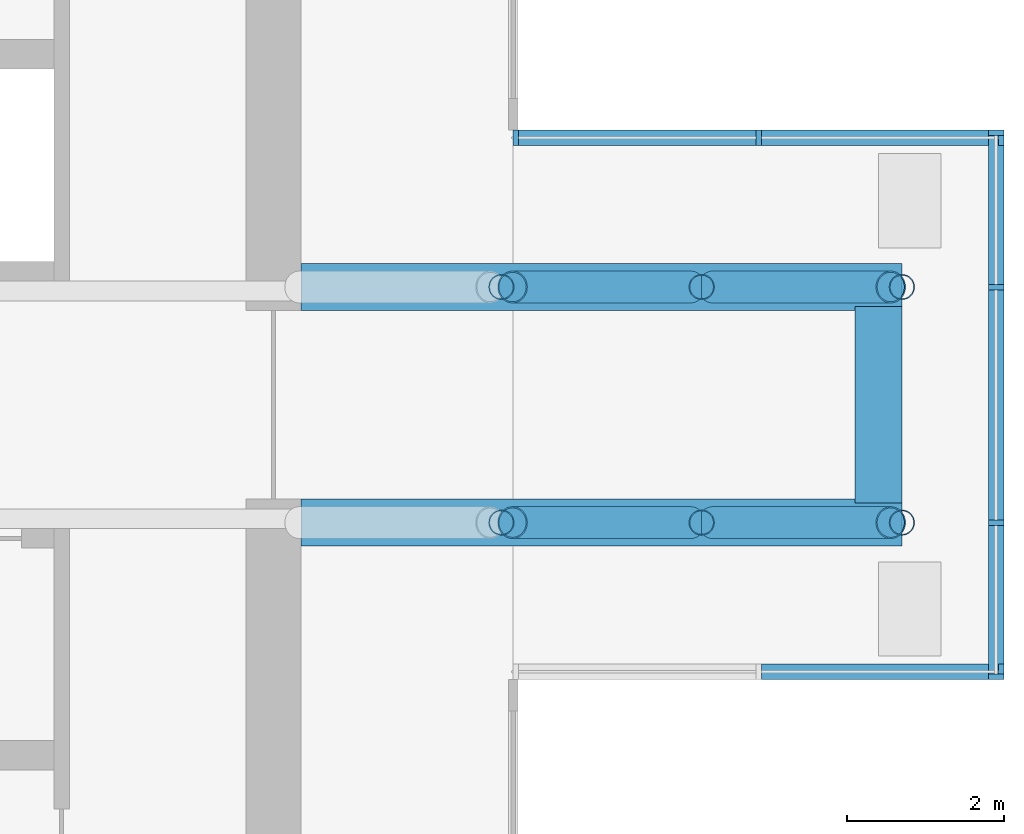
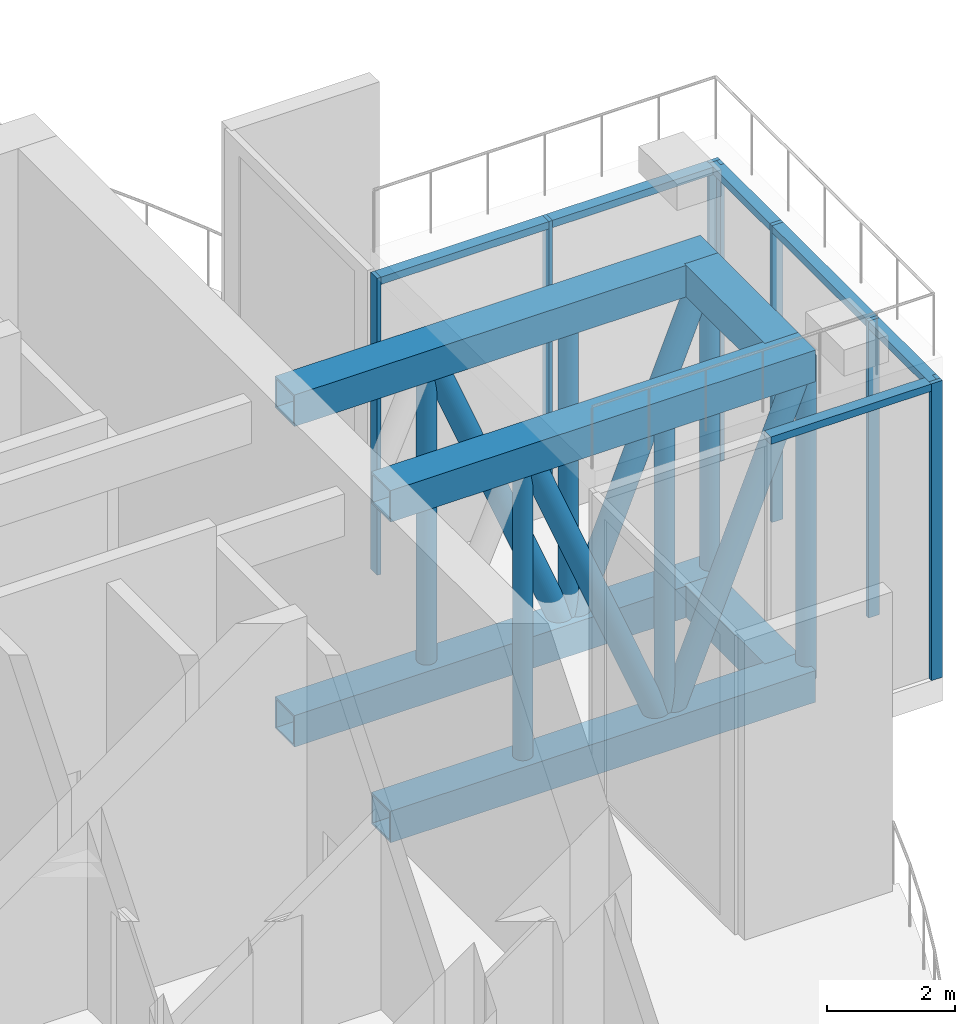
# One storey, part 8 of 23: 24 members, 6 beams, 3 elements without a shape of their own.
"""IFC4 building model written with IfcOpenShell, lengths in metres."""

from ifc_helpers import new_model, si_unit, direction, frame, origin, origin_2d, place, context, subcontext, project, spatial, rectangle, hollow_rectangle, hollow_circle, extrude, material, layer, layer_set, material_profile, profile_set, type_object, element, aggregate, save


model = new_model("IFC4")

# Units and contexts
model_context = context("Model", 3, precision=1e-05, world=origin(), true_north=direction((0.0, 1.0)))
body_context = subcontext(model_context, "Body", "Model", "MODEL_VIEW")
ifc_project = project(units=[si_unit("LENGTHUNIT", "METRE"), si_unit("AREAUNIT", "SQUARE_METRE"), si_unit("VOLUMEUNIT", "CUBIC_METRE"), si_unit("PLANEANGLEUNIT", "RADIAN"), si_unit("MASSUNIT", "GRAM", prefix="KILO")], contexts=[model_context])

# Site, building, storey
site_placement = place(None, origin())
site = spatial("IfcSite", under=ifc_project, at=site_placement, CompositionType="ELEMENT")
building_placement = place(site_placement, origin())
building = spatial("IfcBuilding", under=site, at=building_placement, Name="Maasbend Ring Residences", CompositionType="ELEMENT")
storey_placement = place(building_placement, frame((0.0, 0.0, 97.14990234375)))
storey = spatial("IfcBuildingStorey", under=building, at=storey_placement, Name="L28", CompositionType="ELEMENT", Elevation=97.14990234375)

# Curtain wall, members
ifc_material_1 = material(Name="Aluminium and clear glass", Category="aluminium")
ifc_layer = layer(ifc_material_1, 0.199951171875)
ifc_layer_set = layer_set([ifc_layer], Name="CW-GR")
curtain_wall_type = type_object("IfcCurtainWallType", Name="CW-GR", PredefinedType="NOTDEFINED", material=ifc_layer_set)
curtain_wall_1_placement = place(storey_placement, origin())
curtain_wall_1 = element("IfcCurtainWall", 1, at=curtain_wall_1_placement, inside=storey, type_object=curtain_wall_type, Name="Glass lounge curtain wall tip", PredefinedType="NOTDEFINED")
ifc_material_2 = material(Name="Aluminium 6063-T6", Category="aluminium")
ifc_material_profile_1 = material_profile(ifc_material_2, rectangle(XDim=0.199951171875, YDim=0.070068359375, at=origin_2d()), Name="AL 200x70")
ifc_profile_set_1 = profile_set([ifc_material_profile_1], Name="Aluminium 6063-T6")
member_type_1 = type_object("IfcMemberType", Name="CWM-GR", PredefinedType="MULLION", material=ifc_profile_set_1)
member_1_placement = place(storey_placement, frame((31.14990234375, -3.465087890625, 0.0), z_axis=(0.0, 0.0, 1.0), x_axis=(-1.0, 0.0, 0.0)))
member_1 = element("IfcMember", 2, at=member_1_placement, type_object=member_type_1, Name="Mullion glass room", PredefinedType="MULLION", context=body_context, shape_type="SweptSolid", body=[
    extrude(rectangle(XDim=0.199951171875, YDim=0.070068359375, at=origin_2d()), origin(), (0.0, 0.0, 1.0), 5.650146484375),
])
member_2_placement = place(storey_placement, frame((31.14990234375, -1.5, 0.0), z_axis=(0.0, 0.0, 1.0), x_axis=(-1.0, 0.0, 0.0)))
member_2 = element("IfcMember", 3, at=member_2_placement, type_object=member_type_1, Name="Mullion glass room", PredefinedType="MULLION", context=body_context, shape_type="SweptSolid", body=[
    extrude(rectangle(XDim=0.199951171875, YDim=0.070068359375, at=origin_2d()), origin(), (0.0, 0.0, 1.0), 5.650146484375),
])
member_3_placement = place(storey_placement, frame((31.14990234375, 1.5, 0.0), z_axis=(0.0, 0.0, 1.0), x_axis=(-1.0, 0.0, 0.0)))
member_3 = element("IfcMember", 4, at=member_3_placement, type_object=member_type_1, Name="Mullion glass room", PredefinedType="MULLION", context=body_context, shape_type="SweptSolid", body=[
    extrude(rectangle(XDim=0.199951171875, YDim=0.070068359375, at=origin_2d()), origin(), (0.0, 0.0, 1.0), 5.650146484375),
])
member_4_placement = place(storey_placement, frame((31.14990234375, 3.465087890625, 0.0), z_axis=(0.0, 0.0, 1.0), x_axis=(-1.0, 0.0, 0.0)))
member_4 = element("IfcMember", 5, at=member_4_placement, type_object=member_type_1, Name="Mullion glass room", PredefinedType="MULLION", context=body_context, shape_type="SweptSolid", body=[
    extrude(rectangle(XDim=0.199951171875, YDim=0.070068359375, at=origin_2d()), origin(), (0.0, 0.0, 1.0), 5.650146484375),
])

# Curtain wall, member
curtain_wall_2_placement = place(storey_placement, origin())
curtain_wall_2 = element("IfcCurtainWall", 6, at=curtain_wall_2_placement, inside=storey, type_object=curtain_wall_type, Name="Glass lounge curtain wall south", PredefinedType="NOTDEFINED")
member_5_placement = place(storey_placement, frame((31.215087890625, -3.39990234375, 0.0), z_axis=(0.0, 0.0, 1.0), x_axis=(0.0, 1.0, 0.0)))
member_5 = element("IfcMember", 7, at=member_5_placement, type_object=member_type_1, Name="Mullion glass room", PredefinedType="MULLION", context=body_context, shape_type="SweptSolid", body=[
    extrude(rectangle(XDim=0.199951171875, YDim=0.070068359375, at=origin_2d()), origin(), (0.0, 0.0, 1.0), 5.650146484375),
])

# Curtain wall, members
curtain_wall_3_placement = place(storey_placement, origin())
curtain_wall_3 = element("IfcCurtainWall", 8, at=curtain_wall_3_placement, inside=storey, type_object=curtain_wall_type, Name="Glass lounge curtain wall north", PredefinedType="NOTDEFINED")
member_6_placement = place(storey_placement, frame((25.034912109375, 3.39990234375, 0.0), z_axis=(0.0, 0.0, 1.0), x_axis=(0.0, 1.0, 0.0)))
member_6 = element("IfcMember", 9, at=member_6_placement, type_object=member_type_1, Name="Mullion glass room", PredefinedType="MULLION", context=body_context, shape_type="SweptSolid", body=[
    extrude(rectangle(XDim=0.199951171875, YDim=0.070068359375, at=origin_2d()), origin(), (0.0, 0.0, 1.0), 5.650146484375),
])
member_7_placement = place(storey_placement, frame((28.125, 3.39990234375, 0.0), z_axis=(0.0, 0.0, 1.0), x_axis=(0.0, 1.0, 0.0)))
member_7 = element("IfcMember", 10, at=member_7_placement, type_object=member_type_1, Name="Mullion glass room", PredefinedType="MULLION", context=body_context, shape_type="SweptSolid", body=[
    extrude(rectangle(XDim=0.199951171875, YDim=0.070068359375, at=origin_2d()), origin(), (0.0, 0.0, 1.0), 5.650146484375),
])
member_8_placement = place(storey_placement, frame((31.215087890625, 3.39990234375, 0.0), z_axis=(0.0, 0.0, 1.0), x_axis=(0.0, 1.0, 0.0)))
member_8 = element("IfcMember", 11, at=member_8_placement, type_object=member_type_1, Name="Mullion glass room", PredefinedType="MULLION", context=body_context, shape_type="SweptSolid", body=[
    extrude(rectangle(XDim=0.199951171875, YDim=0.070068359375, at=origin_2d()), origin(), (0.0, 0.0, 1.0), 5.650146484375),
])

# Member
ifc_material_3 = material(Name="Aluminium 6063-T6", Category="aluminium")
ifc_material_profile_2 = material_profile(ifc_material_3, rectangle(XDim=0.199951171875, YDim=0.139892578125, at=origin_2d()), Name="AL 200x140")
ifc_profile_set_2 = profile_set([ifc_material_profile_2], Name="Aluminium 6063-T6")
member_type_2 = type_object("IfcMemberType", Name="CWT-GR", PredefinedType="USERDEFINED", material=ifc_profile_set_2)
member_9_placement = place(storey_placement, frame((31.14990234375, -3.429931640625, 5.580078125), z_axis=(0.0, 1.0, 0.0), x_axis=(-1.0, 0.0, 0.0)))
member_9 = element("IfcMember", 12, at=member_9_placement, type_object=member_type_2, Name="Transom glass room", ObjectType="TRANSOM", PredefinedType="USERDEFINED", context=body_context, shape_type="SweptSolid", body=[
    extrude(rectangle(XDim=0.199951171875, YDim=0.139892578125, at=origin_2d()), origin(), (0.0, 0.0, 1.0), 1.89501953125),
])

member_10_placement = place(storey_placement, frame((31.14990234375, -1.465087890625, 5.580078125), z_axis=(0.0, 1.0, 0.0), x_axis=(-1.0, 0.0, 0.0)))
member_10 = element("IfcMember", 13, at=member_10_placement, type_object=member_type_2, Name="Transom glass room", ObjectType="TRANSOM", PredefinedType="USERDEFINED", context=body_context, shape_type="SweptSolid", body=[
    extrude(rectangle(XDim=0.199951171875, YDim=0.139892578125, at=origin_2d()), origin(), (0.0, 0.0, 1.0), 2.93017578125),
])

member_11_placement = place(storey_placement, frame((31.14990234375, 1.534912109375, 5.580078125), z_axis=(0.0, 1.0, 0.0), x_axis=(-1.0, 0.0, 0.0)))
member_11 = element("IfcMember", 14, at=member_11_placement, type_object=member_type_2, Name="Transom glass room", ObjectType="TRANSOM", PredefinedType="USERDEFINED", context=body_context, shape_type="SweptSolid", body=[
    extrude(rectangle(XDim=0.199951171875, YDim=0.139892578125, at=origin_2d()), origin(), (0.0, 0.0, 1.0), 1.89501953125),
])

aggregate(curtain_wall_1, [member_1, member_2, member_3, member_4, member_9, member_10, member_11])

member_12_placement = place(storey_placement, frame((28.159912109375, -3.39990234375, 5.580078125), z_axis=(1.0, 0.0, 0.0), x_axis=(0.0, 1.0, 0.0)))
member_12 = element("IfcMember", 15, at=member_12_placement, type_object=member_type_2, Name="Transom glass room", ObjectType="TRANSOM", PredefinedType="USERDEFINED", context=body_context, shape_type="SweptSolid", body=[
    extrude(rectangle(XDim=0.199951171875, YDim=0.139892578125, at=origin_2d()), origin(), (0.0, 0.0, 1.0), 3.02001953125),
])

aggregate(curtain_wall_2, [member_5, member_12])

member_13_placement = place(storey_placement, frame((25.070068359375, 3.39990234375, 5.580078125), z_axis=(1.0, 0.0, 0.0), x_axis=(0.0, 1.0, 0.0)))
member_13 = element("IfcMember", 16, at=member_13_placement, type_object=member_type_2, Name="Transom glass room", ObjectType="TRANSOM", PredefinedType="USERDEFINED", context=body_context, shape_type="SweptSolid", body=[
    extrude(rectangle(XDim=0.199951171875, YDim=0.139892578125, at=origin_2d()), origin(), (0.0, 0.0, 1.0), 3.02001953125),
])

member_14_placement = place(storey_placement, frame((28.159912109375, 3.39990234375, 5.580078125), z_axis=(1.0, 0.0, 0.0), x_axis=(0.0, 1.0, 0.0)))
member_14 = element("IfcMember", 17, at=member_14_placement, type_object=member_type_2, Name="Transom glass room", ObjectType="TRANSOM", PredefinedType="USERDEFINED", context=body_context, shape_type="SweptSolid", body=[
    extrude(rectangle(XDim=0.199951171875, YDim=0.139892578125, at=origin_2d()), origin(), (0.0, 0.0, 1.0), 3.02001953125),
])

aggregate(curtain_wall_3, [member_6, member_7, member_8, member_13, member_14])

# Beams
ifc_material_4 = material(Name="Steel S460M", Category="steel")
ifc_material_profile_3 = material_profile(ifc_material_4, hollow_rectangle(XDim=0.60009765625, YDim=0.60009765625, WallThickness=0.035888671875, at=origin_2d()), Name="Glass room truss chord BX 600x600x36")
ifc_profile_set_3 = profile_set([ifc_material_profile_3], Name="Steel S460M")
beam_type = type_object("IfcBeamType", Name="Glass room truss chord BX 600x600x36", PredefinedType="BEAM", material=ifc_profile_set_3)
for number, where, z_axis, x_axis, name in (
    (18, (22.300048828125, -1.5, -0.75), (1.0, 0.0, 0.0), (0.0, 1.0, 0.0), "Glass room truss E"),
    (19, (22.300048828125, -1.5, 5.35009765625), (1.0, 0.0, 0.0), (0.0, 1.0, 0.0), "Glass room truss E"),
):
    element("IfcBeam", number, at=place(storey_placement, frame(where, z_axis=z_axis, x_axis=x_axis)), inside=storey, type_object=beam_type, Name=name, PredefinedType="BEAM", context=body_context, shape_type="SweptSolid", body=[
        extrude(hollow_rectangle(XDim=0.60009765625, YDim=0.60009765625, WallThickness=0.035888671875, at=origin_2d()), origin(), (0.0, 0.0, 1.0), 7.64990234375),
    ])
for number, where, z_axis, x_axis, name in (
    (20, (29.64990234375, -1.25, 5.35009765625), (0.0, 1.0, 0.0), (-1.0, 0.0, 0.0), "Glass room tip beam E"),
    (21, (29.64990234375, -1.25, -0.75), (0.0, 1.0, 0.0), (-1.0, 0.0, 0.0), "Glass room lower tip beam E"),
):
    element("IfcBeam", number, at=place(storey_placement, frame(where, z_axis=z_axis, x_axis=x_axis)), inside=storey, type_object=beam_type, Name=name, PredefinedType="BEAM", context=body_context, shape_type="SweptSolid", body=[
        extrude(hollow_rectangle(XDim=0.60009765625, YDim=0.60009765625, WallThickness=0.035888671875, at=origin_2d()), origin(), (0.0, 0.0, 1.0), 2.5),
    ])
for number, where, z_axis, x_axis, name in (
    (22, (22.300048828125, 1.5, -0.75), (1.0, 0.0, 0.0), (0.0, 1.0, 0.0), "Glass room truss E"),
    (23, (22.300048828125, 1.5, 5.35009765625), (1.0, 0.0, 0.0), (0.0, 1.0, 0.0), "Glass room truss E"),
):
    element("IfcBeam", number, at=place(storey_placement, frame(where, z_axis=z_axis, x_axis=x_axis)), inside=storey, type_object=beam_type, Name=name, PredefinedType="BEAM", context=body_context, shape_type="SweptSolid", body=[
        extrude(hollow_rectangle(XDim=0.60009765625, YDim=0.60009765625, WallThickness=0.035888671875, at=origin_2d()), origin(), (0.0, 0.0, 1.0), 7.64990234375),
    ])

# Members
ifc_material_5 = material(Name="Steel S460NH", Category="steel")
ifc_material_profile_4 = material_profile(ifc_material_5, hollow_circle(Radius=0.203125, WallThickness=0.01611328125, at=origin_2d()), Name="Glass room truss diagonal CHS 406.4x16")
ifc_profile_set_4 = profile_set([ifc_material_profile_4], Name="Steel S460NH")
member_type_3 = type_object("IfcMemberType", Name="Glass room truss diagonal CHS 406.4x16", PredefinedType="BRACE", material=ifc_profile_set_4)
for number, where, z_axis, x_axis, name in (
    (24, (24.99169921875, -1.5, 5.10009765625), (0.375177876588, 0.0, -0.926952836405), (0.0, 1.0, 0.0), "Glass room truss E diagonal"),
    (25, (27.541748046875, -1.5, -0.5), (0.375177876588, 0.0, 0.926952836405), (0.0, 1.0, 0.0), "Glass room truss E diagonal"),
    (26, (24.99169921875, 1.5, 5.10009765625), (0.375177876588, 0.0, -0.926952836405), (0.0, 1.0, 0.0), "Glass room truss E diagonal"),
    (27, (27.541748046875, 1.5, -0.5), (0.375177876588, 0.0, 0.926952836405), (0.0, 1.0, 0.0), "Glass room truss E diagonal"),
):
    element("IfcMember", number, at=place(storey_placement, frame(where, z_axis=z_axis, x_axis=x_axis)), inside=storey, type_object=member_type_3, Name=name, PredefinedType="BRACE", context=body_context, shape_type="SweptSolid", body=[
        extrude(hollow_circle(Radius=0.203125, WallThickness=0.01611328125, at=origin_2d()), origin(), (0.0, 0.0, 1.0), 6.04150390625),
    ])
ifc_material_6 = material(Name="Steel S460NH", Category="steel")
ifc_material_profile_5 = material_profile(ifc_material_6, hollow_circle(Radius=0.161865234375, WallThickness=0.012451171875, at=origin_2d()), Name="Glass room truss post CHS 323.9x12.5")
ifc_profile_set_5 = profile_set([ifc_material_profile_5], Name="Steel S460NH")
member_type_4 = type_object("IfcMemberType", Name="Glass room truss post CHS 323.9x12.5", PredefinedType="POST", material=ifc_profile_set_5)
for number, where, z_axis, x_axis, name in (
    (28, (24.85009765625, -1.5, -0.449951171875), (0.0, 0.0, 1.0), (1.0, 0.0, 0.0), "Glass room truss E post"),
    (29, (27.39990234375, -1.5, -0.449951171875), (0.0, 0.0, 1.0), (1.0, 0.0, 0.0), "Glass room truss E post"),
):
    element("IfcMember", number, at=place(storey_placement, frame(where, z_axis=z_axis, x_axis=x_axis)), inside=storey, type_object=member_type_4, Name=name, PredefinedType="POST", context=body_context, shape_type="SweptSolid", body=[
        extrude(hollow_circle(Radius=0.161865234375, WallThickness=0.012451171875, at=origin_2d()), origin(), (0.0, 0.0, 1.0), 5.5),
    ])
member_15_placement = place(storey_placement, frame((29.949951171875, -1.5, -0.75), z_axis=(0.0, 0.0, 1.0), x_axis=(1.0, 0.0, 0.0)))
element("IfcMember", 30, at=member_15_placement, inside=storey, type_object=member_type_4, Name="Glass room truss E post", PredefinedType="POST", context=body_context, shape_type="SweptSolid", body=[
    extrude(hollow_circle(Radius=0.161865234375, WallThickness=0.012451171875, at=origin_2d()), origin(), (0.0, 0.0, 1.0), 6.10009765625),
])
for number, where, z_axis, x_axis, name in (
    (31, (24.85009765625, 1.5, -0.449951171875), (0.0, 0.0, 1.0), (1.0, 0.0, 0.0), "Glass room truss E post"),
    (32, (27.39990234375, 1.5, -0.449951171875), (0.0, 0.0, 1.0), (1.0, 0.0, 0.0), "Glass room truss E post"),
):
    element("IfcMember", number, at=place(storey_placement, frame(where, z_axis=z_axis, x_axis=x_axis)), inside=storey, type_object=member_type_4, Name=name, PredefinedType="POST", context=body_context, shape_type="SweptSolid", body=[
        extrude(hollow_circle(Radius=0.161865234375, WallThickness=0.012451171875, at=origin_2d()), origin(), (0.0, 0.0, 1.0), 5.5),
    ])
member_16_placement = place(storey_placement, frame((29.949951171875, 1.5, -0.75), z_axis=(0.0, 0.0, 1.0), x_axis=(1.0, 0.0, 0.0)))
element("IfcMember", 33, at=member_16_placement, inside=storey, type_object=member_type_4, Name="Glass room truss E post", PredefinedType="POST", context=body_context, shape_type="SweptSolid", body=[
    extrude(hollow_circle(Radius=0.161865234375, WallThickness=0.012451171875, at=origin_2d()), origin(), (0.0, 0.0, 1.0), 6.10009765625),
])

save(model, "model.ifc")
